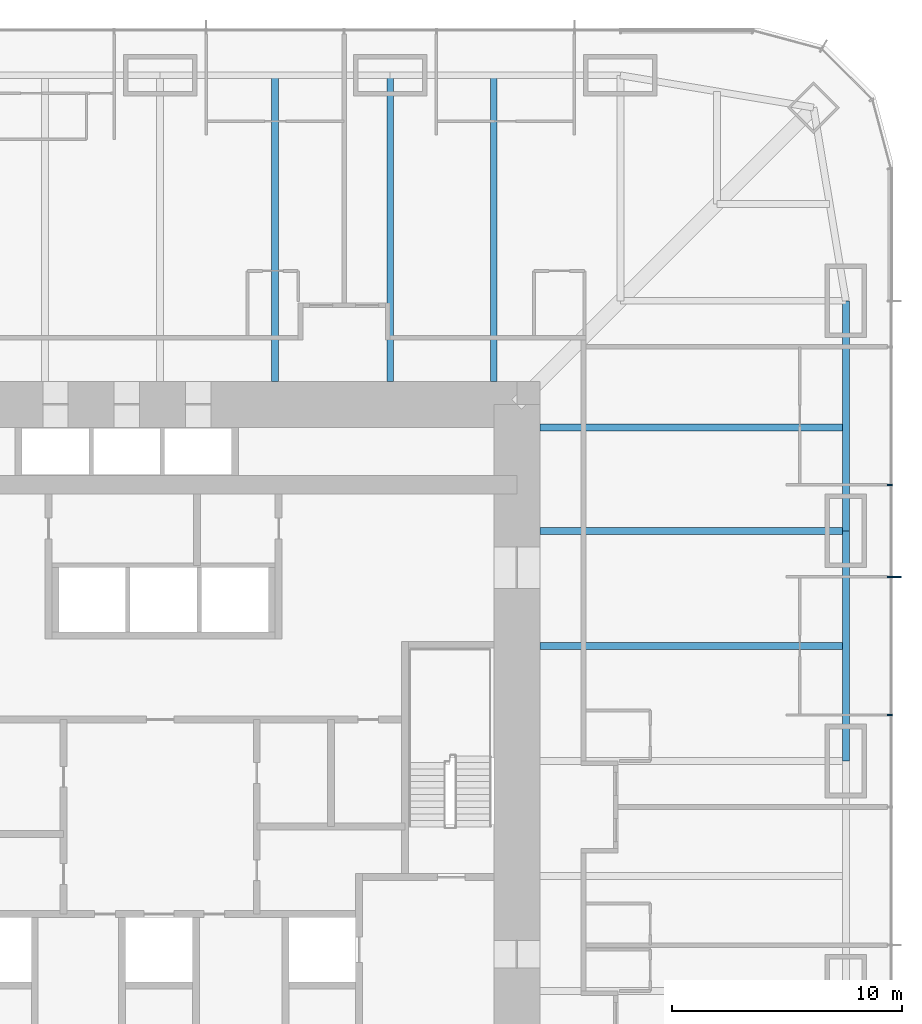
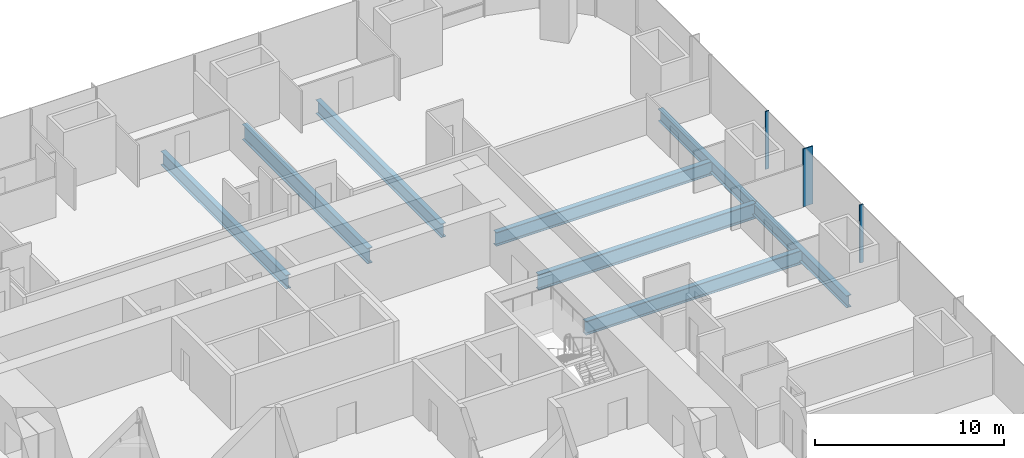
# One storey, part 8 of 17: 8 beams, 3 members, 1 element without a shape of its own.
"""IFC4 building model written with IfcOpenShell, lengths in metres."""

from ifc_helpers import new_model, si_unit, direction, frame, origin, origin_2d, place, context, subcontext, project, spatial, rectangle, i_section, extrude, material, material_profile, profile_set, type_object, element, aggregate, save


model = new_model("IFC4")

# Units and contexts
model_context = context("Model", 3, precision=1e-05, world=origin(), true_north=direction((0.0, 1.0)))
body_context = subcontext(model_context, "Body", "Model", "MODEL_VIEW")
ifc_project = project(units=[si_unit("LENGTHUNIT", "METRE"), si_unit("AREAUNIT", "SQUARE_METRE"), si_unit("VOLUMEUNIT", "CUBIC_METRE"), si_unit("PLANEANGLEUNIT", "RADIAN"), si_unit("MASSUNIT", "GRAM", prefix="KILO")], contexts=[model_context])

# Site, building, storey
site_placement = place(None, origin())
site = spatial("IfcSite", under=ifc_project, at=site_placement, CompositionType="ELEMENT")
building_placement = place(site_placement, origin())
building = spatial("IfcBuilding", under=site, at=building_placement, Name="Khuree Lantern Residences", CompositionType="ELEMENT")
storey_placement = place(building_placement, frame((0.0, 0.0, 36.0)))
storey = spatial("IfcBuildingStorey", under=building, at=storey_placement, Name="L08", CompositionType="ELEMENT", Elevation=36.0)

# Beams
ifc_material_1 = material(Name="Steel S355", Category="steel")
ifc_material_profile_1 = material_profile(ifc_material_1, i_section(OverallWidth=0.300048828125, OverallDepth=0.889892578125, WebThickness=0.01611328125, FlangeThickness=0.030029296875, FilletRadius=0.030029296875, at=origin_2d()), Name="HE 900 A")
ifc_profile_set_1 = profile_set([ifc_material_profile_1], Name="Steel S355")
beam_type_1 = type_object("IfcBeamType", Name="B-12 SECONDARY BEAM HE 900 A", PredefinedType="BEAM", material=ifc_profile_set_1)
for number, where, z_axis, x_axis, name in (
    (1, (5.0, 29.800048828125, -0.695068359375), (0.0, -1.0, 0.0), (1.0, 0.0, 0.0), "Secondary beam N3"),
    (2, (14.5, 29.800048828125, -0.695068359375), (0.0, -1.0, 0.0), (1.0, 0.0, 0.0), "Secondary beam N4"),
    (3, (29.800048828125, 14.5, -0.695068359375), (-1.0, 0.0, 0.0), (0.0, -1.0, 0.0), "Secondary beam E2"),
    (4, (29.800048828125, 5.0, -0.695068359375), (-1.0, 0.0, 0.0), (0.0, -1.0, 0.0), "Secondary beam E3"),
):
    element("IfcBeam", number, at=place(storey_placement, frame(where, z_axis=z_axis, x_axis=x_axis)), inside=storey, type_object=beam_type_1, Name=name, PredefinedType="BEAM", context=body_context, shape_type="SweptSolid", body=[
        extrude(i_section(OverallWidth=0.300048828125, OverallDepth=0.889892578125, WebThickness=0.01611328125, FlangeThickness=0.030029296875, FilletRadius=0.030029296875, at=origin_2d()), origin(), (0.0, 0.0, 1.0), 13.300048828125),
    ])
ifc_material_profile_2 = material_profile(ifc_material_1, i_section(OverallWidth=0.300048828125, OverallDepth=0.7900390625, WebThickness=0.014892578125, FlangeThickness=0.028076171875, FilletRadius=0.030029296875, at=origin_2d()), Name="HE 800 A")
ifc_profile_set_2 = profile_set([ifc_material_profile_2], Name="Steel S355")
beam_type_2 = type_object("IfcBeamType", Name="E-12 SPANDREL BEAM HE 800 A", PredefinedType="SPANDREL", material=ifc_profile_set_2)
for number, where, z_axis, x_axis, name in (
    (5, (29.800048828125, 20.0, -0.64501953125), (0.0, -1.0, 0.0), (1.0, 0.0, 0.0), "Spandrel beam E2"),
    (6, (29.800048828125, 10.0, -0.64501953125), (0.0, -1.0, 0.0), (1.0, 0.0, 0.0), "Spandrel beam E3"),
):
    element("IfcBeam", number, at=place(storey_placement, frame(where, z_axis=z_axis, x_axis=x_axis)), inside=storey, type_object=beam_type_2, Name=name, PredefinedType="SPANDREL", context=body_context, shape_type="SweptSolid", body=[
        extrude(i_section(OverallWidth=0.300048828125, OverallDepth=0.7900390625, WebThickness=0.014892578125, FlangeThickness=0.028076171875, FilletRadius=0.030029296875, at=origin_2d()), origin(), (0.0, 0.0, 1.0), 10.0),
    ])

# Curtain wall, member
ifc_material_2 = material(Name="Bronze anodised aluminium", Category="aluminium")
curtain_wall_type = type_object("IfcCurtainWallType", Name="CW-T1 TOWER FACE CURTAIN WALL", PredefinedType="USERDEFINED", material=ifc_material_2)
curtain_wall_placement = place(storey_placement, origin())
curtain_wall = element("IfcCurtainWall", 7, at=curtain_wall_placement, inside=storey, type_object=curtain_wall_type, Name="L08 EAST FACE CURTAIN WALL", ObjectType="Stick-built curtain wall", PredefinedType="USERDEFINED")
ifc_material_profile_3 = material_profile(ifc_material_2, rectangle(XDim=0.06494140625, YDim=0.60009765625, at=origin_2d()), Name="F1 65X600")
ifc_profile_set_3 = profile_set([ifc_material_profile_3], Name="Bronze anodised aluminium")
member_type_1 = type_object("IfcMemberType", Name="F1 BRONZE FIN MULLION TOWER 65X600", PredefinedType="MULLION", material=ifc_profile_set_3)
member_1_placement = place(storey_placement, frame((31.89990234375, 8.0, 0.0), z_axis=(0.0, 0.0, 1.0), x_axis=(0.0, 1.0, 0.0)))
member_1 = element("IfcMember", 8, at=member_1_placement, type_object=member_type_1, Name="L08 EAST FACE FIN MULLION 11", PredefinedType="MULLION", context=body_context, shape_type="SweptSolid", body=[
    extrude(rectangle(XDim=0.06494140625, YDim=0.60009765625, at=origin_2d()), origin(), (0.0, 0.0, 1.0), 3.75),
])

# Beams
ifc_material_profile_4 = material_profile(ifc_material_1, i_section(OverallWidth=0.302001953125, OverallDepth=1.008056640625, WebThickness=0.02099609375, FlangeThickness=0.0400390625, FilletRadius=0.030029296875, at=origin_2d()), Name="HE 1000 M")
ifc_profile_set_4 = profile_set([ifc_material_profile_4], Name="Steel S355")
beam_type_3 = type_object("IfcBeamType", Name="G-12 GIRDER HE 1000 M", PredefinedType="BEAM", material=ifc_profile_set_4)
for number, where, z_axis, x_axis, name in (
    (9, (10.0, 29.800048828125, -0.75390625), (0.0, -1.0, 0.0), (1.0, 0.0, 0.0), "Girder N4"),
    (10, (29.800048828125, 10.0, -0.75390625), (-1.0, 0.0, 0.0), (0.0, -1.0, 0.0), "Girder E2"),
):
    element("IfcBeam", number, at=place(storey_placement, frame(where, z_axis=z_axis, x_axis=x_axis)), inside=storey, type_object=beam_type_3, Name=name, PredefinedType="BEAM", context=body_context, shape_type="SweptSolid", body=[
        extrude(i_section(OverallWidth=0.302001953125, OverallDepth=1.008056640625, WebThickness=0.02099609375, FlangeThickness=0.0400390625, FilletRadius=0.030029296875, at=origin_2d()), origin(), (0.0, 0.0, 1.0), 13.300048828125),
    ])

# Member
ifc_material_profile_5 = material_profile(ifc_material_2, rectangle(XDim=0.06494140625, YDim=0.219970703125, at=origin_2d()), Name="M1 65X220")
ifc_profile_set_5 = profile_set([ifc_material_profile_5], Name="Bronze anodised aluminium")
member_type_2 = type_object("IfcMemberType", Name="M1 BRONZE MULLION TOWER 65X220", PredefinedType="MULLION", material=ifc_profile_set_5)
member_2_placement = place(storey_placement, frame((31.7099609375, 2.0, 0.0), z_axis=(0.0, 0.0, 1.0), x_axis=(0.0, 1.0, 0.0)))
member_2 = element("IfcMember", 11, at=member_2_placement, type_object=member_type_2, Name="L08 EAST FACE MULLION 10", PredefinedType="MULLION", context=body_context, shape_type="SweptSolid", body=[
    extrude(rectangle(XDim=0.06494140625, YDim=0.219970703125, at=origin_2d()), origin(), (0.0, 0.0, 1.0), 3.75),
])

member_3_placement = place(storey_placement, frame((31.7099609375, 12.0, 0.0), z_axis=(0.0, 0.0, 1.0), x_axis=(0.0, 1.0, 0.0)))
member_3 = element("IfcMember", 12, at=member_3_placement, type_object=member_type_2, Name="L08 EAST FACE MULLION 12", PredefinedType="MULLION", context=body_context, shape_type="SweptSolid", body=[
    extrude(rectangle(XDim=0.06494140625, YDim=0.219970703125, at=origin_2d()), origin(), (0.0, 0.0, 1.0), 3.75),
])

aggregate(curtain_wall, [member_2, member_1, member_3])

save(model, "model.ifc")
